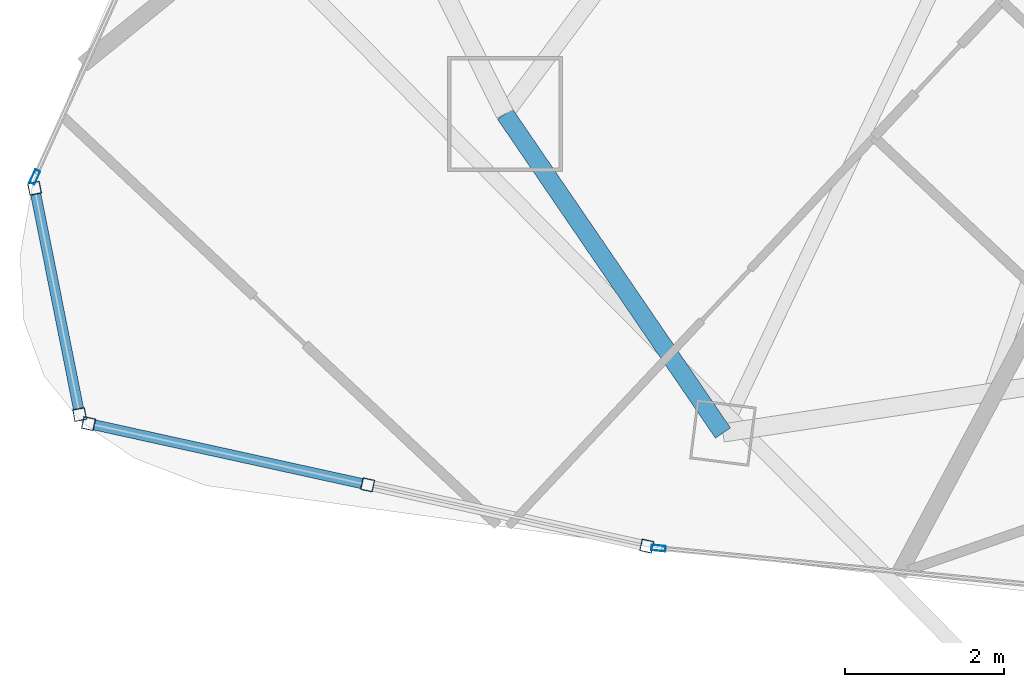
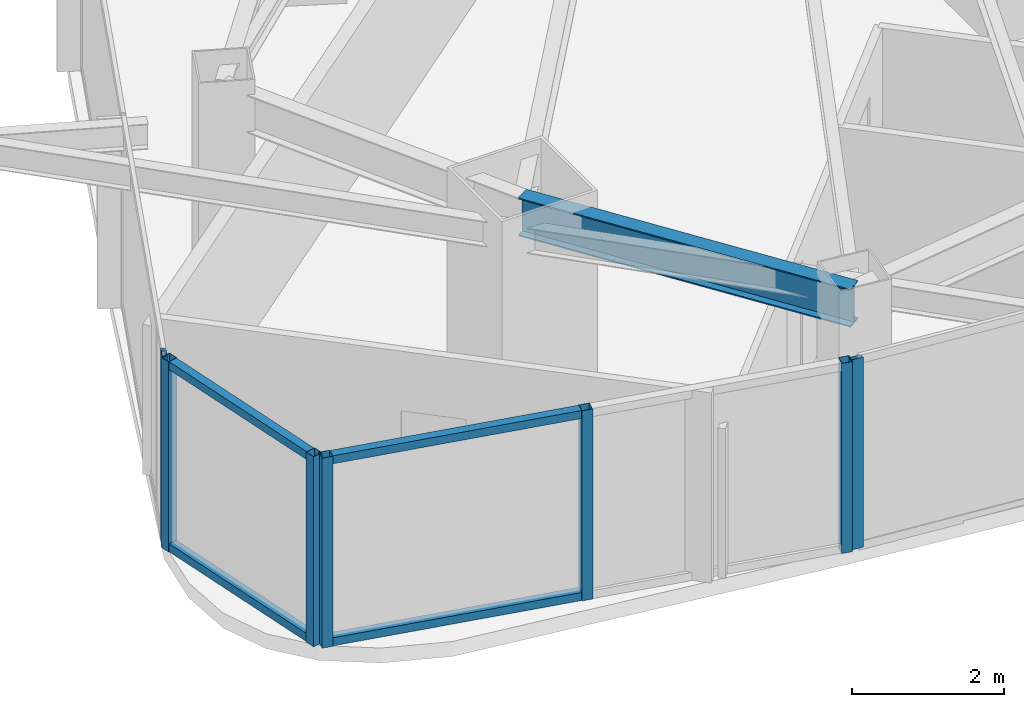
# One storey, part 2 of 29: 11 members, 1 beam, 4 elements without a shape of their own.
"""IFC4 building model written with IfcOpenShell, lengths in metres."""

from ifc_helpers import new_model, si_unit, direction, frame, origin, origin_2d, place, context, subcontext, project, spatial, hollow_rectangle, i_section, extrude, material, layer, layer_set, material_profile, profile_set, type_object, element, aggregate, save


model = new_model("IFC4")

# Units and contexts
model_context = context("Model", 3, precision=1e-05, world=origin(), true_north=direction((0.0, 1.0)))
body_context = subcontext(model_context, "Body", "Model", "MODEL_VIEW")
ifc_project = project(units=[si_unit("LENGTHUNIT", "METRE"), si_unit("AREAUNIT", "SQUARE_METRE"), si_unit("VOLUMEUNIT", "CUBIC_METRE"), si_unit("PLANEANGLEUNIT", "RADIAN"), si_unit("MASSUNIT", "GRAM", prefix="KILO")], contexts=[model_context])

# Site, building, storey
site_placement = place(None, origin())
site = spatial("IfcSite", under=ifc_project, at=site_placement, CompositionType="ELEMENT")
building_placement = place(site_placement, origin())
building = spatial("IfcBuilding", under=site, at=building_placement, Name="Orvanel Arch Residences", CompositionType="ELEMENT")
storey_placement = place(building_placement, frame((0.0, 0.0, 163.85009765625)))
storey = spatial("IfcBuildingStorey", under=building, at=storey_placement, Name="L46", CompositionType="ELEMENT", Elevation=163.85009765625)

# Curtain wall, members
ifc_material_1 = material(Name="Bronze-anodised aluminium AA6063-T6", Category="aluminium")
ifc_layer_1 = layer(ifc_material_1, 0.18994140625)
ifc_layer_set_1 = layer_set([ifc_layer_1], Name="Bronze-anodised aluminium AA6063-T6")
curtain_wall_type_1 = type_object("IfcCurtainWallType", Name="CW5-CRN-SYS", PredefinedType="NOTDEFINED", material=ifc_layer_set_1)
curtain_wall_1_placement = place(storey_placement, origin())
curtain_wall_1 = element("IfcCurtainWall", 1, at=curtain_wall_1_placement, inside=storey, type_object=curtain_wall_type_1, Name="L46 CW5-CRN-SYS Unitised Curtain Wall", PredefinedType="NOTDEFINED")
ifc_material_profile_1 = material_profile(ifc_material_1, hollow_rectangle(XDim=0.14990234375, YDim=0.14990234375, WallThickness=0.0048828125, at=origin_2d()), Name="ALU150x150x5")
ifc_profile_set_1 = profile_set([ifc_material_profile_1], Name="Bronze-anodised aluminium AA6063-T6")
member_type_1 = type_object("IfcMemberType", Name="MUL-150x150", PredefinedType="MULLION", material=ifc_profile_set_1)
member_1_placement = place(storey_placement, frame((8.28271484375, 9.41650390625, 0.0), z_axis=(0.0, 0.0, 1.0), x_axis=(0.980744173157, 0.195296868429, 0.0)))
member_1 = element("IfcMember", 2, at=member_1_placement, type_object=member_type_1, Name="CW-S5 mullion 1", PredefinedType="MULLION", context=body_context, shape_type="SweptSolid", body=[
    extrude(hollow_rectangle(XDim=0.14990234375, YDim=0.14990234375, WallThickness=0.0048828125, at=origin_2d()), origin(), (0.0, 0.0, 1.0), 3.059814453125),
])
member_2_placement = place(storey_placement, frame((8.849365234375, 6.570556640625, 0.0), z_axis=(0.0, 0.0, 1.0), x_axis=(0.980744173157, 0.195296868429, 0.0)))
member_2 = element("IfcMember", 3, at=member_2_placement, type_object=member_type_1, Name="CW-S5 mullion 2", PredefinedType="MULLION", context=body_context, shape_type="SweptSolid", body=[
    extrude(hollow_rectangle(XDim=0.14990234375, YDim=0.14990234375, WallThickness=0.0048828125, at=origin_2d()), origin(), (0.0, 0.0, 1.0), 3.059814453125),
])

curtain_wall_2_placement = place(storey_placement, origin())
curtain_wall_2 = element("IfcCurtainWall", 4, at=curtain_wall_2_placement, inside=storey, type_object=curtain_wall_type_1, Name="L46 CW5-CRN-SYS Unitised Curtain Wall", PredefinedType="NOTDEFINED")
member_3_placement = place(storey_placement, frame((8.961181640625, 6.45703125, 0.0), z_axis=(0.0, 0.0, 1.0), x_axis=(0.214347049523, 0.976757565807, 0.0)))
member_3 = element("IfcMember", 5, at=member_3_placement, type_object=member_type_1, Name="CW-S5 mullion 1", PredefinedType="MULLION", context=body_context, shape_type="SweptSolid", body=[
    extrude(hollow_rectangle(XDim=0.14990234375, YDim=0.14990234375, WallThickness=0.0048828125, at=origin_2d()), origin(), (0.0, 0.0, 1.0), 3.059814453125),
])
member_4_placement = place(storey_placement, frame((12.471923828125, 5.6865234375, 0.0), z_axis=(0.0, 0.0, 1.0), x_axis=(0.214347049523, 0.976757565807, 0.0)))
member_4 = element("IfcMember", 6, at=member_4_placement, type_object=member_type_1, Name="CW-S5 mullion 2", PredefinedType="MULLION", context=body_context, shape_type="SweptSolid", body=[
    extrude(hollow_rectangle(XDim=0.14990234375, YDim=0.14990234375, WallThickness=0.0048828125, at=origin_2d()), origin(), (0.0, 0.0, 1.0), 3.059814453125),
])
member_5_placement = place(storey_placement, frame((15.982666015625, 4.916015625, 0.0), z_axis=(0.0, 0.0, 1.0), x_axis=(0.214347049523, 0.976757565807, 0.0)))
member_5 = element("IfcMember", 7, at=member_5_placement, type_object=member_type_1, Name="CW-S5 mullion 3", PredefinedType="MULLION", context=body_context, shape_type="SweptSolid", body=[
    extrude(hollow_rectangle(XDim=0.14990234375, YDim=0.14990234375, WallThickness=0.0048828125, at=origin_2d()), origin(), (0.0, 0.0, 1.0), 3.059814453125),
])

# Curtain wall, member
ifc_layer_2 = layer(ifc_material_1, 0.179931640625)
ifc_layer_set_2 = layer_set([ifc_layer_2], Name="Bronze-anodised aluminium AA6063-T6")
curtain_wall_type_2 = type_object("IfcCurtainWallType", Name="CW3-MID-SYS", PredefinedType="NOTDEFINED", material=ifc_layer_set_2)
curtain_wall_3_placement = place(storey_placement, origin())
curtain_wall_3 = element("IfcCurtainWall", 8, at=curtain_wall_3_placement, inside=storey, type_object=curtain_wall_type_2, Name="L46 CW3-MID-SYS Unitised Curtain Wall", PredefinedType="NOTDEFINED")
ifc_material_profile_2 = material_profile(ifc_material_1, hollow_rectangle(XDim=0.070068359375, YDim=0.179931640625, WallThickness=0.00439453125, at=origin_2d()), Name="ALU180x70x4.5")
ifc_profile_set_2 = profile_set([ifc_material_profile_2], Name="Bronze-anodised aluminium AA6063-T6")
member_type_2 = type_object("IfcMemberType", Name="MUL-180x70", PredefinedType="MULLION", material=ifc_profile_set_2)
member_6_placement = place(storey_placement, frame((8.286376953125, 9.559814453125, 0.0), z_axis=(0.0, 0.0, 1.0), x_axis=(0.910745569556, -0.412967925551, 0.0)))
member_6 = element("IfcMember", 9, at=member_6_placement, type_object=member_type_2, Name="CW-S3 mullion 4", PredefinedType="MULLION", context=body_context, shape_type="SweptSolid", body=[
    extrude(hollow_rectangle(XDim=0.070068359375, YDim=0.179931640625, WallThickness=0.00439453125, at=origin_2d()), origin(), (0.0, 0.0, 1.0), 3.059814453125),
])
aggregate(curtain_wall_3, [member_6])

curtain_wall_4_placement = place(storey_placement, origin())
curtain_wall_4 = element("IfcCurtainWall", 10, at=curtain_wall_4_placement, inside=storey, type_object=curtain_wall_type_2, Name="L46 CW3-MID-SYS Unitised Curtain Wall", PredefinedType="NOTDEFINED")
member_7_placement = place(storey_placement, frame((16.130859375, 4.890625, 0.0), z_axis=(0.0, 0.0, 1.0), x_axis=(0.097286031613, 0.995256463457, 0.0)))
member_7 = element("IfcMember", 11, at=member_7_placement, type_object=member_type_2, Name="CW-S3 mullion 1", PredefinedType="MULLION", context=body_context, shape_type="SweptSolid", body=[
    extrude(hollow_rectangle(XDim=0.070068359375, YDim=0.179931640625, WallThickness=0.00439453125, at=origin_2d()), origin(), (0.0, 0.0, 1.0), 3.059814453125),
])
aggregate(curtain_wall_4, [member_7])

# Beam
ifc_material_2 = material(Name="Structural steel AS/NZS 3679.1 Grade 300 (300 MPa)", Category="steel")
ifc_material_profile_3 = material_profile(ifc_material_2, i_section(OverallWidth=0.22900390625, OverallDepth=0.612060546875, WebThickness=0.011962890625, FlangeThickness=0.01953125, at=origin_2d()), Name="610UB125")
ifc_profile_set_3 = profile_set([ifc_material_profile_3], Name="Structural steel AS/NZS 3679.1 Grade 300 (300 MPa)")
beam_type = type_object("IfcBeamType", Name="SP-610UB", PredefinedType="SPANDREL", material=ifc_profile_set_3)
beam_placement = place(storey_placement, frame((14.198974609375, 10.35107421875, 2.75390625), z_axis=(0.564251579852, -0.825602903722, 0.0), x_axis=(0.825602903722, 0.564251579852, 0.0)))
element("IfcBeam", 12, at=beam_placement, inside=storey, type_object=beam_type, Name="L46 Perimeter Spandrel Beam 03", PredefinedType="SPANDREL", context=body_context, shape_type="SweptSolid", body=[
    extrude(i_section(OverallWidth=0.22900390625, OverallDepth=0.612060546875, WebThickness=0.011962890625, FlangeThickness=0.01953125, at=origin_2d()), origin(), (0.0, 0.0, 1.0), 4.859375),
])

# Member
ifc_material_profile_4 = material_profile(ifc_material_1, hollow_rectangle(XDim=0.1298828125, YDim=0.1298828125, WallThickness=0.00439453125, at=origin_2d()), Name="ALU130x130x4.5")
ifc_profile_set_4 = profile_set([ifc_material_profile_4], Name="Bronze-anodised aluminium AA6063-T6")
member_type_3 = type_object("IfcMemberType", Name="TRN-130x130", PredefinedType="USERDEFINED", material=ifc_profile_set_4)
member_8_placement = place(storey_placement, frame((8.29736328125, 9.3427734375, 0.06494140625), z_axis=(0.19528001723, -0.980747528608, 0.0), x_axis=(0.980747528608, 0.19528001723, 0.0)))
member_8 = element("IfcMember", 13, at=member_8_placement, type_object=member_type_3, Name="CW-S5 transom 1.1", ObjectType="TRANSOM", PredefinedType="USERDEFINED", context=body_context, shape_type="SweptSolid", body=[
    extrude(hollow_rectangle(XDim=0.1298828125, YDim=0.1298828125, WallThickness=0.00439453125, at=origin_2d()), origin(), (0.0, 0.0, 1.0), 2.751708984375),
])

member_9_placement = place(storey_placement, frame((8.29736328125, 9.3427734375, 2.994873046875), z_axis=(0.19528001723, -0.980747528608, 0.0), x_axis=(0.980747528608, 0.19528001723, 0.0)))
member_9 = element("IfcMember", 14, at=member_9_placement, type_object=member_type_3, Name="CW-S5 transom 1.2", ObjectType="TRANSOM", PredefinedType="USERDEFINED", context=body_context, shape_type="SweptSolid", body=[
    extrude(hollow_rectangle(XDim=0.1298828125, YDim=0.1298828125, WallThickness=0.00439453125, at=origin_2d()), origin(), (0.0, 0.0, 1.0), 2.751708984375),
])

aggregate(curtain_wall_1, [member_1, member_2, member_8, member_9])

member_10_placement = place(storey_placement, frame((9.034423828125, 6.44091796875, 0.06494140625), z_axis=(0.976757375333, -0.21434791749, 0.0), x_axis=(0.21434791749, 0.976757375333, 0.0)))
member_10 = element("IfcMember", 15, at=member_10_placement, type_object=member_type_3, Name="CW-S5 transom 1.1", ObjectType="TRANSOM", PredefinedType="USERDEFINED", context=body_context, shape_type="SweptSolid", body=[
    extrude(hollow_rectangle(XDim=0.1298828125, YDim=0.1298828125, WallThickness=0.00439453125, at=origin_2d()), origin(), (0.0, 0.0, 1.0), 3.4443359375),
])

member_11_placement = place(storey_placement, frame((9.034423828125, 6.44091796875, 2.994873046875), z_axis=(0.976757375333, -0.21434791749, 0.0), x_axis=(0.21434791749, 0.976757375333, 0.0)))
member_11 = element("IfcMember", 16, at=member_11_placement, type_object=member_type_3, Name="CW-S5 transom 1.2", ObjectType="TRANSOM", PredefinedType="USERDEFINED", context=body_context, shape_type="SweptSolid", body=[
    extrude(hollow_rectangle(XDim=0.1298828125, YDim=0.1298828125, WallThickness=0.00439453125, at=origin_2d()), origin(), (0.0, 0.0, 1.0), 3.4443359375),
])

aggregate(curtain_wall_2, [member_3, member_4, member_5, member_10, member_11])

save(model, "model.ifc")
